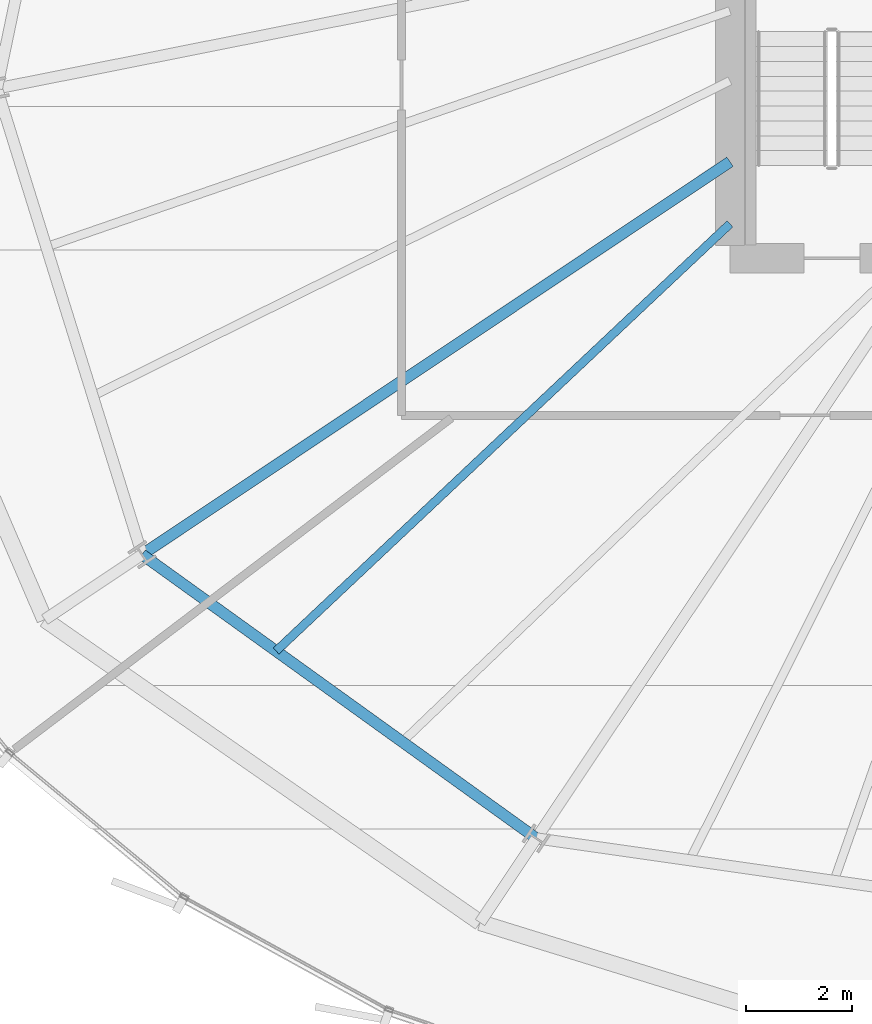
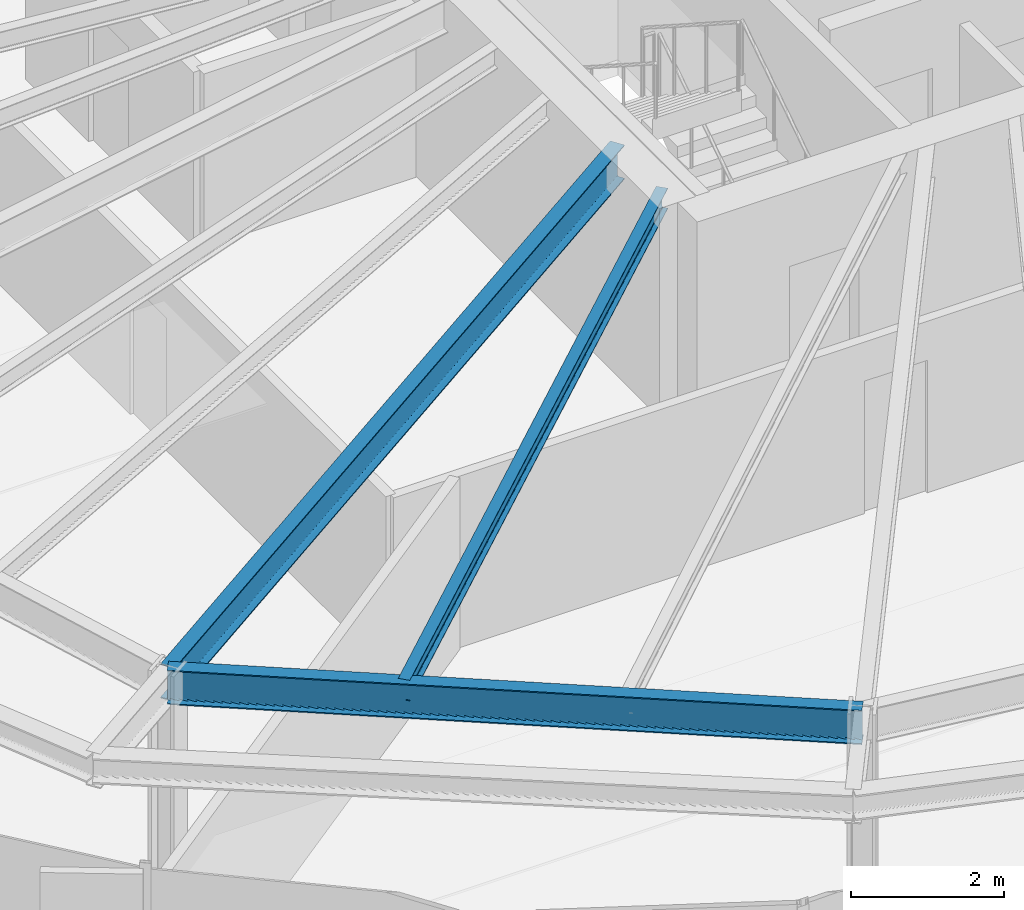
# One storey, part 4 of 33: 3 beams.
"""IFC4 building model written with IfcOpenShell, lengths in metres."""

from ifc_helpers import new_model, si_unit, direction, frame, origin, origin_2d, place, context, subcontext, project, spatial, i_section, extrude, source, transform, mapped, material, material_profile, profile_set, type_object, element, save


model = new_model("IFC4")

# Units and contexts
model_context = context("Model", 3, precision=1e-05, world=origin(), true_north=direction((0.0, 1.0)))
body_context = subcontext(model_context, "Body", "Model", "MODEL_VIEW")
ifc_project = project(units=[si_unit("LENGTHUNIT", "METRE"), si_unit("AREAUNIT", "SQUARE_METRE"), si_unit("VOLUMEUNIT", "CUBIC_METRE"), si_unit("PLANEANGLEUNIT", "RADIAN"), si_unit("MASSUNIT", "GRAM", prefix="KILO"), si_unit("THERMODYNAMICTEMPERATUREUNIT", "KELVIN")], contexts=[model_context])

# Site, building, storey
site_placement = place(None, origin())
site = spatial("IfcSite", under=ifc_project, at=site_placement, CompositionType="ELEMENT")
building_placement = place(site_placement, origin())
building = spatial("IfcBuilding", under=site, at=building_placement, Name="Kethvar Cultural Tower", CompositionType="ELEMENT")
storey_placement = place(building_placement, frame((0.0, 0.0, 118.0)))
storey = spatial("IfcBuildingStorey", under=building, at=storey_placement, Name="L29", CompositionType="ELEMENT", Elevation=118.0)

# Beams
ifc_material = material(Name="Steel S355J2", Category="steel")
ifc_material_profile_1 = material_profile(ifc_material, i_section(OverallWidth=0.2099609375, OverallDepth=0.550048828125, WebThickness=0.010986328125, FlangeThickness=0.01708984375, FilletRadius=0.02392578125, at=origin_2d()), Name="Steel S355J2 — IPE550")
ifc_profile_set_1 = profile_set([ifc_material_profile_1], Name="Steel S355J2 — IPE550")
beam_type_1 = type_object("IfcBeamType", Name="BM-IPE550", PredefinedType="BEAM", material=ifc_profile_set_1)
shared_shape_1 = source(origin(), body_context, "Body", "SweptSolid", [
    extrude(i_section(OverallWidth=0.2099609375, OverallDepth=0.550048828125, WebThickness=0.010986328125, FlangeThickness=0.01708984375, FilletRadius=0.02392578125, at=origin_2d()), origin(), (0.0, 0.0, 1.0), 13.324951171875),
])
beam_1_placement = place(storey_placement, frame((38.0, 21.919921875, 3.072998046875), z_axis=(-0.831474815475, -0.555562445843, 0.0), x_axis=(0.555562445843, -0.831474815475, 0.0)))
element("IfcBeam", 1, at=beam_1_placement, inside=storey, type_object=beam_type_1, Name="L29 Primary Radial Beam RB-10", PredefinedType="BEAM", context=body_context, shape_type="MappedRepresentation", body=[
    mapped(shared_shape_1, transform((0.0, 0.0, 0.0), scale=1.0)),
])
shared_shape_2 = source(origin(), body_context, "Body", "SweptSolid", [
    extrude(i_section(OverallWidth=0.2099609375, OverallDepth=0.550048828125, WebThickness=0.010986328125, FlangeThickness=0.01708984375, FilletRadius=0.02392578125, at=origin_2d()), origin(), (0.0, 0.0, 1.0), 9.155029296875),
])
beam_2_placement = place(storey_placement, frame((26.920654296875, 14.51708984375, 3.072998046875), z_axis=(0.811590987974, -0.584226042076, 0.0), x_axis=(0.584226042076, 0.811590987974, 0.0)))
element("IfcBeam", 2, at=beam_2_placement, inside=storey, type_object=beam_type_1, Name="L29 Column Ring Tie Beam CR-10", PredefinedType="BEAM", context=body_context, shape_type="MappedRepresentation", body=[
    mapped(shared_shape_2, transform((0.0, 0.0, 0.0), scale=1.0)),
])
ifc_material_profile_2 = material_profile(ifc_material, i_section(OverallWidth=0.159912109375, OverallDepth=0.330078125, WebThickness=0.007568359375, FlangeThickness=0.011474609375, FilletRadius=0.01806640625, at=origin_2d()), Name="Steel S355J2 — IPE330")
ifc_profile_set_2 = profile_set([ifc_material_profile_2], Name="Steel S355J2 — IPE330")
beam_type_2 = type_object("IfcBeamType", Name="BM-J330", PredefinedType="JOIST", material=ifc_profile_set_2)
shared_shape_3 = source(origin(), body_context, "Body", "SweptSolid", [
    extrude(i_section(OverallWidth=0.159912109375, OverallDepth=0.330078125, WebThickness=0.007568359375, FlangeThickness=0.011474609375, FilletRadius=0.01806640625, at=origin_2d()), origin(), (0.0, 0.0, 1.0), 11.74658203125),
])
beam_3_placement = place(storey_placement, frame((38.0, 20.75, 3.18310546875), z_axis=(-0.728129818661, -0.685439251266, 0.0), x_axis=(0.685439251266, -0.728129818661, 0.0)))
element("IfcBeam", 3, at=beam_3_placement, inside=storey, type_object=beam_type_2, Name="L29 Composite Floor Joist J-10A", PredefinedType="JOIST", context=body_context, shape_type="MappedRepresentation", body=[
    mapped(shared_shape_3, transform((0.0, 0.0, 0.0), scale=1.0)),
])

save(model, "model.ifc")
